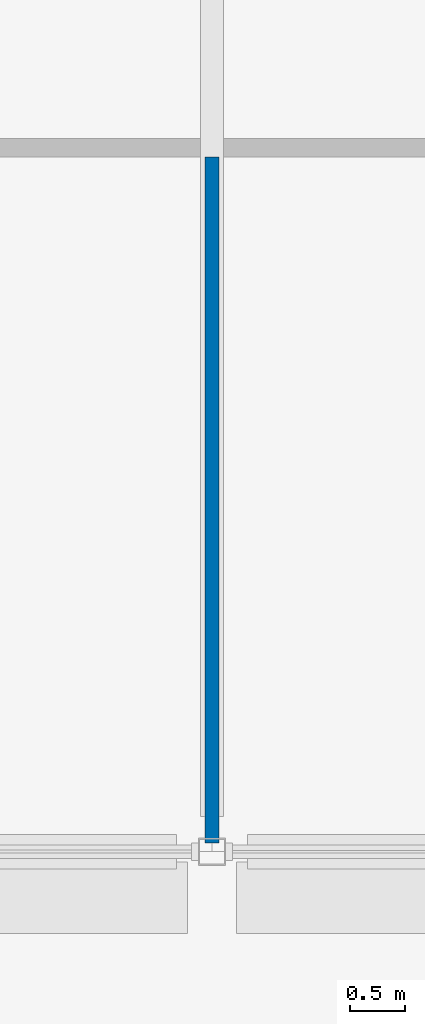
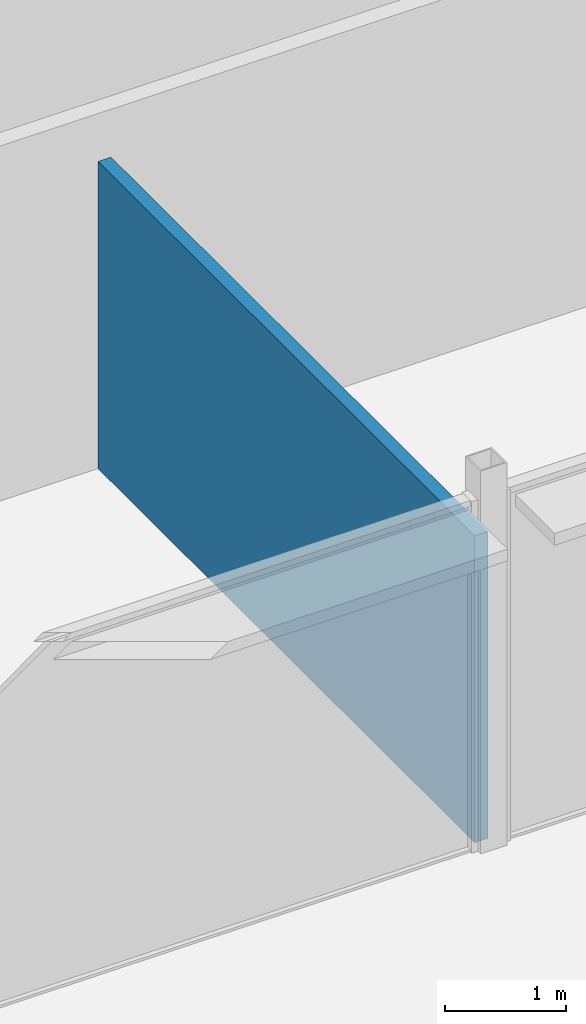
# One storey, part 66 of 105: 1 wall.
"""IFC4 building model written with IfcOpenShell, lengths in metres."""

from ifc_helpers import new_model, si_unit, direction, frame, frame_2d, origin, place, context, subcontext, project, spatial, rectangle, extrude, material, layer, layer_set, type_object, element, save


model = new_model("IFC4")

# Units and contexts
model_context = context("Model", 3, precision=1e-05, world=origin(), true_north=direction((0.0, 1.0)))
body_context = subcontext(model_context, "Body", "Model", "MODEL_VIEW")
ifc_project = project(units=[si_unit("LENGTHUNIT", "METRE"), si_unit("AREAUNIT", "SQUARE_METRE"), si_unit("VOLUMEUNIT", "CUBIC_METRE"), si_unit("PLANEANGLEUNIT", "RADIAN"), si_unit("MASSUNIT", "GRAM", prefix="KILO")], contexts=[model_context])

# Site, building, storey
site_placement = place(None, origin())
site = spatial("IfcSite", under=ifc_project, at=site_placement, CompositionType="ELEMENT")
building_placement = place(site_placement, origin())
building = spatial("IfcBuilding", under=site, at=building_placement, Name="Kisiwana Market Hall", CompositionType="ELEMENT")
storey_placement = place(building_placement, frame((0.0, 0.0, 21.60009765625)))
storey = spatial("IfcBuildingStorey", under=building, at=storey_placement, Name="L04", CompositionType="ELEMENT", Elevation=21.60009765625)

# Wall
ifc_material = material(Name="Gypsum plasterboard")
ifc_layer = layer(ifc_material, 0.125, Name="Double gypsum board + acoustic stud")
ifc_layer_set = layer_set([ifc_layer], Name="WL-OFF-125")
wall_type = type_object("IfcWallType", Name="WL-OFF-125", PredefinedType="PARTITIONING", material=ifc_layer_set)
wall_placement = place(storey_placement, frame((99.0, 93.080078125, 0.0), z_axis=(0.0, 0.0, 1.0), x_axis=(0.0, 1.0, 0.0)))
element("IfcWall", 1, at=wall_placement, inside=storey, type_object=wall_type, Name="Interior partition W-1700", PredefinedType="PARTITIONING", context=body_context, shape_type="SweptSolid", body=[
    extrude(rectangle(XDim=6.23486328125, YDim=0.125, at=frame_2d((3.117431640625, 0.0))), origin(), (0.0, 0.0, 1.0), 3.101806640625),
])

save(model, "model.ifc")
